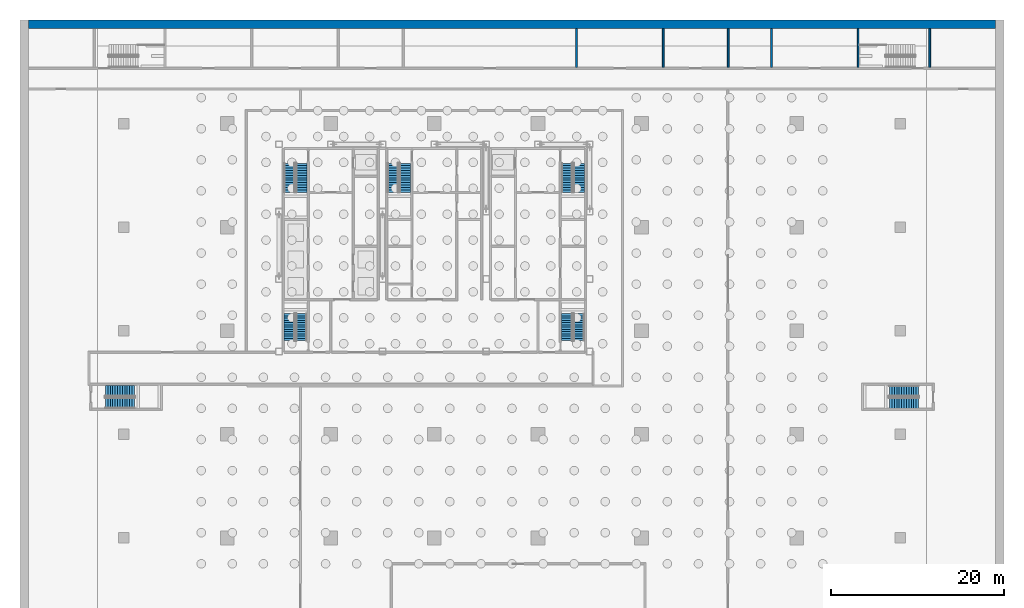
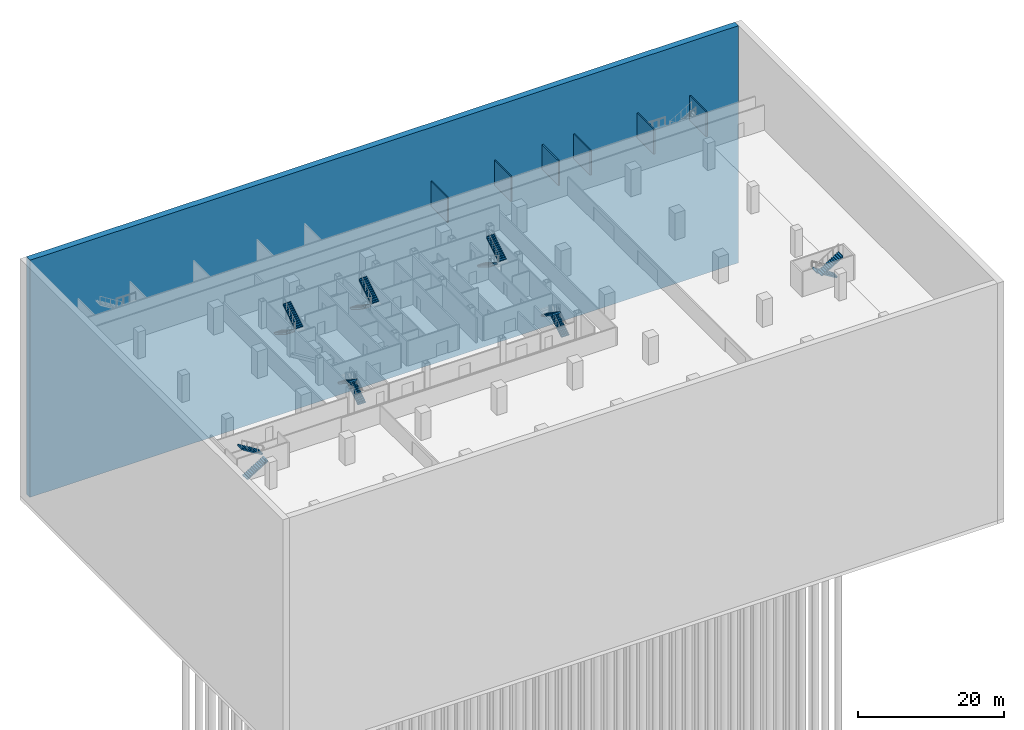
# One storey, part 13 of 18: 14 stair flights, 7 walls, 7 elements without a shape of their own.
"""IFC4 building model written with IfcOpenShell, lengths in metres."""

from ifc_helpers import new_model, si_unit, direction, frame, frame_2d, origin, place, context, subcontext, project, spatial, polyline, rectangle, outline, extrude, material, layer, layer_set, type_object, element, aggregate, save


model = new_model("IFC4")

# Units and contexts
model_context = context("Model", 3, precision=1e-05, world=origin(), true_north=direction((0.0, 1.0)))
body_context = subcontext(model_context, "Body", "Model", "MODEL_VIEW")
ifc_project = project(units=[si_unit("LENGTHUNIT", "METRE"), si_unit("AREAUNIT", "SQUARE_METRE"), si_unit("VOLUMEUNIT", "CUBIC_METRE"), si_unit("PLANEANGLEUNIT", "RADIAN"), si_unit("MASSUNIT", "GRAM", prefix="KILO")], contexts=[model_context])

# Site, building, storey
site_placement = place(None, origin())
site = spatial("IfcSite", under=ifc_project, at=site_placement, CompositionType="ELEMENT")
building_placement = place(site_placement, origin())
building = spatial("IfcBuilding", under=site, at=building_placement, Name="Sorahane Residences", CompositionType="ELEMENT")
storey_placement = place(building_placement, frame((0.0, 0.0, -13.5)))
storey = spatial("IfcBuildingStorey", under=building, at=storey_placement, Name="B3", CompositionType="ELEMENT", Elevation=-13.5)

# Walls
ifc_material_1 = material(Name="Concrete C40", Category="concrete")
ifc_layer_1 = layer(ifc_material_1, 1.0)
ifc_layer_set_1 = layer_set([ifc_layer_1], Name="Diaphragm wall 1000 mm Concrete C40")
wall_type_1 = type_object("IfcWallType", Name="Diaphragm wall 1000 mm Concrete C40", PredefinedType="SOLIDWALL", material=ifc_layer_set_1)
wall_1_placement = place(storey_placement, frame((-23.0, 59.5, -26.5), z_axis=(0.0, 0.0, 1.0), x_axis=(1.0, 0.0, 0.0)))
element("IfcWall", 1, at=wall_1_placement, inside=storey, type_object=wall_type_1, Name="Diaphragm wall north", PredefinedType="SOLIDWALL", context=body_context, shape_type="SweptSolid", body=[
    extrude(rectangle(XDim=112.0, YDim=1.0, at=frame_2d((56.0, 0.0))), origin(), (0.0, 0.0, 1.0), 39.639892578125),
])
ifc_material_2 = material(Name="Concrete blockwork C20 wall", Category="masonry")
ifc_layer_2 = layer(ifc_material_2, 0.199951171875)
ifc_layer_set_2 = layer_set([ifc_layer_2], Name="Fire wall 200 EI 120")
wall_type_2 = type_object("IfcWallType", Name="Fire wall 200 EI 120", PredefinedType="SOLIDWALL", material=ifc_layer_set_2)
wall_2_placement = place(storey_placement, frame((81.39990234375, 54.5, 0.0), z_axis=(0.0, 0.0, 1.0), x_axis=(0.0, 1.0, 0.0)))
element("IfcWall", 2, at=wall_2_placement, inside=storey, type_object=wall_type_2, Name="B3 fire wall", PredefinedType="SOLIDWALL", context=body_context, shape_type="SweptSolid", body=[
    extrude(rectangle(XDim=4.5, YDim=0.199951171875, at=frame_2d((2.25, 0.0))), origin(), (0.0, 0.0, 1.0), 4.14990234375),
])
ifc_material_3 = material(Name="Concrete blockwork C20 wall", Category="masonry")
ifc_layer_3 = layer(ifc_material_3, 0.199951171875)
ifc_layer_set_3 = layer_set([ifc_layer_3], Name="Plant wall 200 EI 120")
wall_type_3 = type_object("IfcWallType", Name="Plant wall 200 EI 120", PredefinedType="SOLIDWALL", material=ifc_layer_set_3)
for number, where, z_axis, x_axis, name in (
    (3, (40.47802734375, 54.5, 0.0), (0.0, 0.0, 1.0), (0.0, 1.0, 0.0), "B3 plant wall"),
    (4, (50.515625, 54.5, 0.0), (0.0, 0.0, 1.0), (0.0, 1.0, 0.0), "B3 plant wall"),
    (5, (58.043701171875, 54.5, 0.0), (0.0, 0.0, 1.0), (0.0, 1.0, 0.0), "B3 plant wall"),
    (6, (63.0625, 54.5, 0.0), (0.0, 0.0, 1.0), (0.0, 1.0, 0.0), "B3 plant wall"),
):
    element("IfcWall", number, at=place(storey_placement, frame(where, z_axis=z_axis, x_axis=x_axis)), inside=storey, type_object=wall_type_3, Name=name, PredefinedType="SOLIDWALL", context=body_context, shape_type="SweptSolid", body=[
        extrude(rectangle(XDim=4.5, YDim=0.199951171875, at=frame_2d((2.25, 0.0))), origin(), (0.0, 0.0, 1.0), 4.14990234375),
    ])
ifc_material_4 = material(Name="Concrete C30", Category="concrete")
ifc_layer_4 = layer(ifc_material_4, 0.199951171875)
ifc_layer_set_4 = layer_set([ifc_layer_4], Name="Stair enclosure wall 200 EI 120")
wall_type_4 = type_object("IfcWallType", Name="Stair enclosure wall 200 EI 120", PredefinedType="SOLIDWALL", material=ifc_layer_set_4)
wall_3_placement = place(storey_placement, frame((73.10009765625, 54.5, 0.0), z_axis=(0.0, 0.0, 1.0), x_axis=(0.0, 1.0, 0.0)))
element("IfcWall", 7, at=wall_3_placement, inside=storey, type_object=wall_type_4, Name="B3 fire wall", PredefinedType="SOLIDWALL", context=body_context, shape_type="SweptSolid", body=[
    extrude(rectangle(XDim=4.5, YDim=0.199951171875, at=frame_2d((2.25, 0.0))), origin(), (0.0, 0.0, 1.0), 4.14990234375),
])

# Stair, stair flights
ifc_material_5 = material(Name="Concrete C40", Category="concrete")
stair_type = type_object("IfcStairType", Name="Dog-leg stair 1250 Concrete C40", PredefinedType="HALF_TURN_STAIR", material=ifc_material_5)
stair_1_placement = place(storey_placement, origin())
stair_1 = element("IfcStair", 8, at=stair_1_placement, inside=storey, type_object=stair_type, Name="B3 Stair S1", PredefinedType="HALF_TURN_STAIR")
ifc_material_6 = material(Name="Concrete C40", Category="concrete")
stair_flight_type = type_object("IfcStairFlightType", Name="Stair flight 1250 Concrete C40", PredefinedType="STRAIGHT", material=ifc_material_6)
stair_flight_1_placement = place(storey_placement, frame((7.22509765625, 43.39990234375, 0.0), z_axis=(0.0, 0.0, 1.0), x_axis=(0.0, -1.0, 0.0)))
stair_flight_1 = element("IfcStairFlight", 9, at=stair_flight_1_placement, type_object=stair_flight_type, Name="S1 flight 1", NumberOfRisers=13, NumberOfTreads=12, PredefinedType="STRAIGHT", RiserHeight=0.173076923, TreadLength=0.28, context=body_context, shape_type="SweptSolid", body=[
    extrude(outline(polyline([(-0.00146484375, 0.0), (-0.00146484375, 0.173095703125), (0.0, 0.173095703125), (0.280029296875, 0.173095703125), (0.280029296875, 0.34619140625), (0.56005859375, 0.34619140625), (0.56005859375, 0.519287109375), (0.840087890625, 0.519287109375), (0.840087890625, 0.6923828125), (1.1201171875, 0.6923828125), (1.1201171875, 0.865478515625), (1.39990234375, 0.865478515625), (1.39990234375, 1.03857421875), (1.679931640625, 1.03857421875), (1.679931640625, 1.21142578125), (1.9599609375, 1.21142578125), (1.9599609375, 1.384521484375), (2.239990234375, 1.384521484375), (2.239990234375, 1.5576171875), (2.52001953125, 1.5576171875), (2.52001953125, 1.730712890625), (2.800048828125, 1.730712890625), (2.800048828125, 1.90380859375), (3.080078125, 1.90380859375), (3.080078125, 2.076904296875), (3.360107421875, 2.076904296875), (3.360107421875, 2.25), (3.360107421875, 1.900634765625), (3.140380859375, 1.764892578125), (2.920654296875, 1.629150390625), (2.701171875, 1.493408203125), (2.4814453125, 1.357666015625), (2.26171875, 1.221923828125), (2.042236328125, 1.086181640625), (1.822509765625, 0.950439453125), (1.60302734375, 0.814697265625), (1.38330078125, 0.6787109375), (1.16357421875, 0.54296875), (0.944091796875, 0.4072265625), (0.724365234375, 0.271484375), (0.504638671875, 0.1357421875), (0.28515625, 0.0), (-0.00146484375, 0.0)])), frame((0.0, 0.625, 0.0), z_axis=(0.0, -1.0, 0.0), x_axis=(1.0, 0.0, 0.0)), (0.0, 0.0, 1.0), 1.25),
])
stair_flight_2_placement = place(storey_placement, frame((8.625, 40.0400390625, 2.25), z_axis=(0.0, 0.0, 1.0), x_axis=(0.0, 1.0, 0.0)))
stair_flight_2 = element("IfcStairFlight", 10, at=stair_flight_2_placement, type_object=stair_flight_type, Name="S1 flight 2", NumberOfRisers=13, NumberOfTreads=12, PredefinedType="STRAIGHT", RiserHeight=0.173076923, TreadLength=0.28, context=body_context, shape_type="SweptSolid", body=[
    extrude(outline(polyline([(0.0, 0.0), (0.0, 0.173095703125), (0.280029296875, 0.173095703125), (0.280029296875, 0.34619140625), (0.56005859375, 0.34619140625), (0.56005859375, 0.519287109375), (0.840087890625, 0.519287109375), (0.840087890625, 0.6923828125), (1.1201171875, 0.6923828125), (1.1201171875, 0.865478515625), (1.39990234375, 0.865478515625), (1.39990234375, 1.03857421875), (1.679931640625, 1.03857421875), (1.679931640625, 1.21142578125), (1.9599609375, 1.21142578125), (1.9599609375, 1.384521484375), (2.239990234375, 1.384521484375), (2.239990234375, 1.5576171875), (2.52001953125, 1.5576171875), (2.52001953125, 1.730712890625), (2.800048828125, 1.730712890625), (2.800048828125, 1.90380859375), (3.080078125, 1.90380859375), (3.080078125, 2.076904296875), (3.360107421875, 2.076904296875), (3.360107421875, 2.25), (3.361572265625, 2.25), (3.361572265625, 1.900634765625), (3.141845703125, 1.764892578125), (2.922119140625, 1.629150390625), (2.702392578125, 1.493408203125), (2.482421875, 1.357666015625), (2.2626953125, 1.221923828125), (2.04296875, 1.086181640625), (1.8232421875, 0.950439453125), (1.603515625, 0.814697265625), (1.3837890625, 0.6787109375), (1.1640625, 0.54296875), (0.9443359375, 0.4072265625), (0.724609375, 0.271484375), (0.5048828125, 0.1357421875), (0.28515625, 0.0), (0.0, 0.0)])), frame((0.0, 0.625, 0.0), z_axis=(0.0, -1.0, 0.0), x_axis=(1.0, 0.0, 0.0)), (0.0, 0.0, 1.0), 1.25),
])
aggregate(stair_1, [stair_flight_1, stair_flight_2])

stair_2_placement = place(storey_placement, origin())
stair_2 = element("IfcStair", 11, at=stair_2_placement, inside=storey, type_object=stair_type, Name="B3 Stair S2", PredefinedType="HALF_TURN_STAIR")
stair_flight_3_placement = place(storey_placement, frame((39.375, 43.39990234375, 0.0), z_axis=(0.0, 0.0, 1.0), x_axis=(0.0, -1.0, 0.0)))
stair_flight_3 = element("IfcStairFlight", 12, at=stair_flight_3_placement, type_object=stair_flight_type, Name="S2 flight 1", NumberOfRisers=13, NumberOfTreads=12, PredefinedType="STRAIGHT", RiserHeight=0.173076923, TreadLength=0.28, context=body_context, shape_type="SweptSolid", body=[
    extrude(outline(polyline([(-0.00146484375, 0.0), (-0.00146484375, 0.173095703125), (0.0, 0.173095703125), (0.280029296875, 0.173095703125), (0.280029296875, 0.34619140625), (0.56005859375, 0.34619140625), (0.56005859375, 0.519287109375), (0.840087890625, 0.519287109375), (0.840087890625, 0.6923828125), (1.1201171875, 0.6923828125), (1.1201171875, 0.865478515625), (1.39990234375, 0.865478515625), (1.39990234375, 1.03857421875), (1.679931640625, 1.03857421875), (1.679931640625, 1.21142578125), (1.9599609375, 1.21142578125), (1.9599609375, 1.384521484375), (2.239990234375, 1.384521484375), (2.239990234375, 1.5576171875), (2.52001953125, 1.5576171875), (2.52001953125, 1.730712890625), (2.800048828125, 1.730712890625), (2.800048828125, 1.90380859375), (3.080078125, 1.90380859375), (3.080078125, 2.076904296875), (3.360107421875, 2.076904296875), (3.360107421875, 2.25), (3.360107421875, 1.900634765625), (3.140380859375, 1.764892578125), (2.920654296875, 1.629150390625), (2.701171875, 1.493408203125), (2.4814453125, 1.357666015625), (2.26171875, 1.221923828125), (2.042236328125, 1.086181640625), (1.822509765625, 0.950439453125), (1.60302734375, 0.814697265625), (1.38330078125, 0.6787109375), (1.16357421875, 0.54296875), (0.944091796875, 0.4072265625), (0.724365234375, 0.271484375), (0.504638671875, 0.1357421875), (0.28515625, 0.0), (-0.00146484375, 0.0)])), frame((0.0, 0.625, 0.0), z_axis=(0.0, -1.0, 0.0), x_axis=(1.0, 0.0, 0.0)), (0.0, 0.0, 1.0), 1.25),
])
stair_flight_4_placement = place(storey_placement, frame((40.77490234375, 40.0400390625, 2.25), z_axis=(0.0, 0.0, 1.0), x_axis=(0.0, 1.0, 0.0)))
stair_flight_4 = element("IfcStairFlight", 13, at=stair_flight_4_placement, type_object=stair_flight_type, Name="S2 flight 2", NumberOfRisers=13, NumberOfTreads=12, PredefinedType="STRAIGHT", RiserHeight=0.173076923, TreadLength=0.28, context=body_context, shape_type="SweptSolid", body=[
    extrude(outline(polyline([(0.0, 0.0), (0.0, 0.173095703125), (0.280029296875, 0.173095703125), (0.280029296875, 0.34619140625), (0.56005859375, 0.34619140625), (0.56005859375, 0.519287109375), (0.840087890625, 0.519287109375), (0.840087890625, 0.6923828125), (1.1201171875, 0.6923828125), (1.1201171875, 0.865478515625), (1.39990234375, 0.865478515625), (1.39990234375, 1.03857421875), (1.679931640625, 1.03857421875), (1.679931640625, 1.21142578125), (1.9599609375, 1.21142578125), (1.9599609375, 1.384521484375), (2.239990234375, 1.384521484375), (2.239990234375, 1.5576171875), (2.52001953125, 1.5576171875), (2.52001953125, 1.730712890625), (2.800048828125, 1.730712890625), (2.800048828125, 1.90380859375), (3.080078125, 1.90380859375), (3.080078125, 2.076904296875), (3.360107421875, 2.076904296875), (3.360107421875, 2.25), (3.361572265625, 2.25), (3.361572265625, 1.900634765625), (3.141845703125, 1.764892578125), (2.922119140625, 1.629150390625), (2.702392578125, 1.493408203125), (2.482421875, 1.357666015625), (2.2626953125, 1.221923828125), (2.04296875, 1.086181640625), (1.8232421875, 0.950439453125), (1.603515625, 0.814697265625), (1.3837890625, 0.6787109375), (1.1640625, 0.54296875), (0.9443359375, 0.4072265625), (0.724609375, 0.271484375), (0.5048828125, 0.1357421875), (0.28515625, 0.0), (0.0, 0.0)])), frame((0.0, 0.625, 0.0), z_axis=(0.0, -1.0, 0.0), x_axis=(1.0, 0.0, 0.0)), (0.0, 0.0, 1.0), 1.25),
])
aggregate(stair_2, [stair_flight_3, stair_flight_4])

stair_3_placement = place(storey_placement, origin())
stair_3 = element("IfcStair", 14, at=stair_3_placement, inside=storey, type_object=stair_type, Name="B3 Stair S3", PredefinedType="HALF_TURN_STAIR")
stair_flight_5_placement = place(storey_placement, frame((19.22509765625, 43.39990234375, 0.0), z_axis=(0.0, 0.0, 1.0), x_axis=(0.0, -1.0, 0.0)))
stair_flight_5 = element("IfcStairFlight", 15, at=stair_flight_5_placement, type_object=stair_flight_type, Name="S3 flight 1", NumberOfRisers=13, NumberOfTreads=12, PredefinedType="STRAIGHT", RiserHeight=0.173076923, TreadLength=0.28, context=body_context, shape_type="SweptSolid", body=[
    extrude(outline(polyline([(-0.00146484375, 0.0), (-0.00146484375, 0.173095703125), (0.0, 0.173095703125), (0.280029296875, 0.173095703125), (0.280029296875, 0.34619140625), (0.56005859375, 0.34619140625), (0.56005859375, 0.519287109375), (0.840087890625, 0.519287109375), (0.840087890625, 0.6923828125), (1.1201171875, 0.6923828125), (1.1201171875, 0.865478515625), (1.39990234375, 0.865478515625), (1.39990234375, 1.03857421875), (1.679931640625, 1.03857421875), (1.679931640625, 1.21142578125), (1.9599609375, 1.21142578125), (1.9599609375, 1.384521484375), (2.239990234375, 1.384521484375), (2.239990234375, 1.5576171875), (2.52001953125, 1.5576171875), (2.52001953125, 1.730712890625), (2.800048828125, 1.730712890625), (2.800048828125, 1.90380859375), (3.080078125, 1.90380859375), (3.080078125, 2.076904296875), (3.360107421875, 2.076904296875), (3.360107421875, 2.25), (3.360107421875, 1.900634765625), (3.140380859375, 1.764892578125), (2.920654296875, 1.629150390625), (2.701171875, 1.493408203125), (2.4814453125, 1.357666015625), (2.26171875, 1.221923828125), (2.042236328125, 1.086181640625), (1.822509765625, 0.950439453125), (1.60302734375, 0.814697265625), (1.38330078125, 0.6787109375), (1.16357421875, 0.54296875), (0.944091796875, 0.4072265625), (0.724365234375, 0.271484375), (0.504638671875, 0.1357421875), (0.28515625, 0.0), (-0.00146484375, 0.0)])), frame((0.0, 0.625, 0.0), z_axis=(0.0, -1.0, 0.0), x_axis=(1.0, 0.0, 0.0)), (0.0, 0.0, 1.0), 1.25),
])
stair_flight_6_placement = place(storey_placement, frame((20.625, 40.0400390625, 2.25), z_axis=(0.0, 0.0, 1.0), x_axis=(0.0, 1.0, 0.0)))
stair_flight_6 = element("IfcStairFlight", 16, at=stair_flight_6_placement, type_object=stair_flight_type, Name="S3 flight 2", NumberOfRisers=13, NumberOfTreads=12, PredefinedType="STRAIGHT", RiserHeight=0.173076923, TreadLength=0.28, context=body_context, shape_type="SweptSolid", body=[
    extrude(outline(polyline([(0.0, 0.0), (0.0, 0.173095703125), (0.280029296875, 0.173095703125), (0.280029296875, 0.34619140625), (0.56005859375, 0.34619140625), (0.56005859375, 0.519287109375), (0.840087890625, 0.519287109375), (0.840087890625, 0.6923828125), (1.1201171875, 0.6923828125), (1.1201171875, 0.865478515625), (1.39990234375, 0.865478515625), (1.39990234375, 1.03857421875), (1.679931640625, 1.03857421875), (1.679931640625, 1.21142578125), (1.9599609375, 1.21142578125), (1.9599609375, 1.384521484375), (2.239990234375, 1.384521484375), (2.239990234375, 1.5576171875), (2.52001953125, 1.5576171875), (2.52001953125, 1.730712890625), (2.800048828125, 1.730712890625), (2.800048828125, 1.90380859375), (3.080078125, 1.90380859375), (3.080078125, 2.076904296875), (3.360107421875, 2.076904296875), (3.360107421875, 2.25), (3.361572265625, 2.25), (3.361572265625, 1.900634765625), (3.141845703125, 1.764892578125), (2.922119140625, 1.629150390625), (2.702392578125, 1.493408203125), (2.482421875, 1.357666015625), (2.2626953125, 1.221923828125), (2.04296875, 1.086181640625), (1.8232421875, 0.950439453125), (1.603515625, 0.814697265625), (1.3837890625, 0.6787109375), (1.1640625, 0.54296875), (0.9443359375, 0.4072265625), (0.724609375, 0.271484375), (0.5048828125, 0.1357421875), (0.28515625, 0.0), (0.0, 0.0)])), frame((0.0, 0.625, 0.0), z_axis=(0.0, -1.0, 0.0), x_axis=(1.0, 0.0, 0.0)), (0.0, 0.0, 1.0), 1.25),
])
aggregate(stair_3, [stair_flight_5, stair_flight_6])

stair_4_placement = place(storey_placement, origin())
stair_4 = element("IfcStair", 17, at=stair_4_placement, inside=storey, type_object=stair_type, Name="B3 Stair S4", PredefinedType="HALF_TURN_STAIR")
stair_flight_7_placement = place(storey_placement, frame((8.625, 22.85009765625, 0.0), z_axis=(0.0, 0.0, 1.0), x_axis=(0.0, 1.0, 0.0)))
stair_flight_7 = element("IfcStairFlight", 18, at=stair_flight_7_placement, type_object=stair_flight_type, Name="S4 flight 1", NumberOfRisers=13, NumberOfTreads=12, PredefinedType="STRAIGHT", RiserHeight=0.173076923, TreadLength=0.26, context=body_context, shape_type="SweptSolid", body=[
    extrude(outline(polyline([(-0.00146484375, 0.0), (-0.00146484375, 0.173095703125), (0.0, 0.173095703125), (0.260009765625, 0.173095703125), (0.260009765625, 0.34619140625), (0.52001953125, 0.34619140625), (0.52001953125, 0.519287109375), (0.780029296875, 0.519287109375), (0.780029296875, 0.6923828125), (1.0400390625, 0.6923828125), (1.0400390625, 0.865478515625), (1.300048828125, 0.865478515625), (1.300048828125, 1.03857421875), (1.56005859375, 1.03857421875), (1.56005859375, 1.21142578125), (1.820068359375, 1.21142578125), (1.820068359375, 1.384521484375), (2.080078125, 1.384521484375), (2.080078125, 1.5576171875), (2.340087890625, 1.5576171875), (2.340087890625, 1.730712890625), (2.60009765625, 1.730712890625), (2.60009765625, 1.90380859375), (2.860107421875, 1.90380859375), (2.860107421875, 2.076904296875), (3.1201171875, 2.076904296875), (3.1201171875, 2.25), (3.1201171875, 1.9326171875), (2.91259765625, 1.794677734375), (2.705322265625, 1.656494140625), (2.497802734375, 1.5185546875), (2.29052734375, 1.38037109375), (2.083251953125, 1.242431640625), (1.875732421875, 1.104248046875), (1.66845703125, 0.96630859375), (1.4609375, 0.828369140625), (1.253662109375, 0.690185546875), (1.046142578125, 0.55224609375), (0.8388671875, 0.4140625), (0.631591796875, 0.276123046875), (0.424072265625, 0.137939453125), (0.216796875, 0.0), (-0.00146484375, 0.0)])), frame((0.0, 0.625, 0.0), z_axis=(0.0, -1.0, 0.0), x_axis=(1.0, 0.0, 0.0)), (0.0, 0.0, 1.0), 1.25),
])
stair_flight_8_placement = place(storey_placement, frame((7.22509765625, 25.969970703125, 2.25), z_axis=(0.0, 0.0, 1.0), x_axis=(0.0, -1.0, 0.0)))
stair_flight_8 = element("IfcStairFlight", 19, at=stair_flight_8_placement, type_object=stair_flight_type, Name="S4 flight 2", NumberOfRisers=13, NumberOfTreads=12, PredefinedType="STRAIGHT", RiserHeight=0.173076923, TreadLength=0.26, context=body_context, shape_type="SweptSolid", body=[
    extrude(outline(polyline([(0.0, 0.0), (0.0, 0.173095703125), (0.260009765625, 0.173095703125), (0.260009765625, 0.34619140625), (0.52001953125, 0.34619140625), (0.52001953125, 0.519287109375), (0.780029296875, 0.519287109375), (0.780029296875, 0.6923828125), (1.0400390625, 0.6923828125), (1.0400390625, 0.865478515625), (1.300048828125, 0.865478515625), (1.300048828125, 1.03857421875), (1.56005859375, 1.03857421875), (1.56005859375, 1.21142578125), (1.820068359375, 1.21142578125), (1.820068359375, 1.384521484375), (2.080078125, 1.384521484375), (2.080078125, 1.5576171875), (2.340087890625, 1.5576171875), (2.340087890625, 1.730712890625), (2.60009765625, 1.730712890625), (2.60009765625, 1.90380859375), (2.860107421875, 1.90380859375), (2.860107421875, 2.076904296875), (3.1201171875, 2.076904296875), (3.1201171875, 2.25), (3.12158203125, 2.25), (3.12158203125, 1.9326171875), (2.9140625, 1.794677734375), (2.70654296875, 1.656494140625), (2.4990234375, 1.5185546875), (2.29150390625, 1.38037109375), (2.083984375, 1.242431640625), (1.876708984375, 1.104248046875), (1.669189453125, 0.96630859375), (1.461669921875, 0.828369140625), (1.254150390625, 0.690185546875), (1.046630859375, 0.55224609375), (0.839111328125, 0.4140625), (0.6318359375, 0.276123046875), (0.42431640625, 0.137939453125), (0.216796875, 0.0), (0.0, 0.0)])), frame((0.0, 0.625, 0.0), z_axis=(0.0, -1.0, 0.0), x_axis=(1.0, 0.0, 0.0)), (0.0, 0.0, 1.0), 1.25),
])
aggregate(stair_4, [stair_flight_7, stair_flight_8])

stair_5_placement = place(storey_placement, origin())
stair_5 = element("IfcStair", 20, at=stair_5_placement, inside=storey, type_object=stair_type, Name="B3 Stair S5", PredefinedType="HALF_TURN_STAIR")
stair_flight_9_placement = place(storey_placement, frame((40.77490234375, 22.85009765625, 0.0), z_axis=(0.0, 0.0, 1.0), x_axis=(0.0, 1.0, 0.0)))
stair_flight_9 = element("IfcStairFlight", 21, at=stair_flight_9_placement, type_object=stair_flight_type, Name="S5 flight 1", NumberOfRisers=13, NumberOfTreads=12, PredefinedType="STRAIGHT", RiserHeight=0.173076923, TreadLength=0.26, context=body_context, shape_type="SweptSolid", body=[
    extrude(outline(polyline([(-0.00146484375, 0.0), (-0.00146484375, 0.173095703125), (0.0, 0.173095703125), (0.260009765625, 0.173095703125), (0.260009765625, 0.34619140625), (0.52001953125, 0.34619140625), (0.52001953125, 0.519287109375), (0.780029296875, 0.519287109375), (0.780029296875, 0.6923828125), (1.0400390625, 0.6923828125), (1.0400390625, 0.865478515625), (1.300048828125, 0.865478515625), (1.300048828125, 1.03857421875), (1.56005859375, 1.03857421875), (1.56005859375, 1.21142578125), (1.820068359375, 1.21142578125), (1.820068359375, 1.384521484375), (2.080078125, 1.384521484375), (2.080078125, 1.5576171875), (2.340087890625, 1.5576171875), (2.340087890625, 1.730712890625), (2.60009765625, 1.730712890625), (2.60009765625, 1.90380859375), (2.860107421875, 1.90380859375), (2.860107421875, 2.076904296875), (3.1201171875, 2.076904296875), (3.1201171875, 2.25), (3.1201171875, 1.9326171875), (2.91259765625, 1.794677734375), (2.705322265625, 1.656494140625), (2.497802734375, 1.5185546875), (2.29052734375, 1.38037109375), (2.083251953125, 1.242431640625), (1.875732421875, 1.104248046875), (1.66845703125, 0.96630859375), (1.4609375, 0.828369140625), (1.253662109375, 0.690185546875), (1.046142578125, 0.55224609375), (0.8388671875, 0.4140625), (0.631591796875, 0.276123046875), (0.424072265625, 0.137939453125), (0.216796875, 0.0), (-0.00146484375, 0.0)])), frame((0.0, 0.625, 0.0), z_axis=(0.0, -1.0, 0.0), x_axis=(1.0, 0.0, 0.0)), (0.0, 0.0, 1.0), 1.25),
])
stair_flight_10_placement = place(storey_placement, frame((39.375, 25.969970703125, 2.25), z_axis=(0.0, 0.0, 1.0), x_axis=(0.0, -1.0, 0.0)))
stair_flight_10 = element("IfcStairFlight", 22, at=stair_flight_10_placement, type_object=stair_flight_type, Name="S5 flight 2", NumberOfRisers=13, NumberOfTreads=12, PredefinedType="STRAIGHT", RiserHeight=0.173076923, TreadLength=0.26, context=body_context, shape_type="SweptSolid", body=[
    extrude(outline(polyline([(0.0, 0.0), (0.0, 0.173095703125), (0.260009765625, 0.173095703125), (0.260009765625, 0.34619140625), (0.52001953125, 0.34619140625), (0.52001953125, 0.519287109375), (0.780029296875, 0.519287109375), (0.780029296875, 0.6923828125), (1.0400390625, 0.6923828125), (1.0400390625, 0.865478515625), (1.300048828125, 0.865478515625), (1.300048828125, 1.03857421875), (1.56005859375, 1.03857421875), (1.56005859375, 1.21142578125), (1.820068359375, 1.21142578125), (1.820068359375, 1.384521484375), (2.080078125, 1.384521484375), (2.080078125, 1.5576171875), (2.340087890625, 1.5576171875), (2.340087890625, 1.730712890625), (2.60009765625, 1.730712890625), (2.60009765625, 1.90380859375), (2.860107421875, 1.90380859375), (2.860107421875, 2.076904296875), (3.1201171875, 2.076904296875), (3.1201171875, 2.25), (3.12158203125, 2.25), (3.12158203125, 1.9326171875), (2.9140625, 1.794677734375), (2.70654296875, 1.656494140625), (2.4990234375, 1.5185546875), (2.29150390625, 1.38037109375), (2.083984375, 1.242431640625), (1.876708984375, 1.104248046875), (1.669189453125, 0.96630859375), (1.461669921875, 0.828369140625), (1.254150390625, 0.690185546875), (1.046630859375, 0.55224609375), (0.839111328125, 0.4140625), (0.6318359375, 0.276123046875), (0.42431640625, 0.137939453125), (0.216796875, 0.0), (0.0, 0.0)])), frame((0.0, 0.625, 0.0), z_axis=(0.0, -1.0, 0.0), x_axis=(1.0, 0.0, 0.0)), (0.0, 0.0, 1.0), 1.25),
])
aggregate(stair_5, [stair_flight_9, stair_flight_10])

stair_6_placement = place(storey_placement, origin())
stair_6 = element("IfcStair", 23, at=stair_6_placement, inside=storey, type_object=stair_type, Name="B3 Basement stair BS3", PredefinedType="HALF_TURN_STAIR")
stair_flight_11_placement = place(storey_placement, frame((-14.10009765625, 15.625, 0.0), z_axis=(0.0, 0.0, 1.0), x_axis=(1.0, 0.0, 0.0)))
stair_flight_11 = element("IfcStairFlight", 24, at=stair_flight_11_placement, type_object=stair_flight_type, Name="BS3 flight 1", NumberOfRisers=13, NumberOfTreads=12, PredefinedType="STRAIGHT", RiserHeight=0.173076923, TreadLength=0.28, context=body_context, shape_type="SweptSolid", body=[
    extrude(outline(polyline([(-0.00146484375, 0.0), (-0.00146484375, 0.173095703125), (0.0, 0.173095703125), (0.280029296875, 0.173095703125), (0.280029296875, 0.34619140625), (0.56005859375, 0.34619140625), (0.56005859375, 0.519287109375), (0.840087890625, 0.519287109375), (0.840087890625, 0.6923828125), (1.1201171875, 0.6923828125), (1.1201171875, 0.865478515625), (1.39990234375, 0.865478515625), (1.39990234375, 1.03857421875), (1.679931640625, 1.03857421875), (1.679931640625, 1.21142578125), (1.9599609375, 1.21142578125), (1.9599609375, 1.384521484375), (2.239990234375, 1.384521484375), (2.239990234375, 1.5576171875), (2.52001953125, 1.5576171875), (2.52001953125, 1.730712890625), (2.800048828125, 1.730712890625), (2.800048828125, 1.90380859375), (3.080078125, 1.90380859375), (3.080078125, 2.076904296875), (3.360107421875, 2.076904296875), (3.360107421875, 2.25), (3.360107421875, 1.900634765625), (3.140380859375, 1.764892578125), (2.920654296875, 1.629150390625), (2.701171875, 1.493408203125), (2.4814453125, 1.357666015625), (2.26171875, 1.221923828125), (2.042236328125, 1.086181640625), (1.822509765625, 0.950439453125), (1.60302734375, 0.814697265625), (1.38330078125, 0.6787109375), (1.16357421875, 0.54296875), (0.944091796875, 0.4072265625), (0.724365234375, 0.271484375), (0.504638671875, 0.1357421875), (0.28515625, 0.0), (-0.00146484375, 0.0)])), frame((0.0, 0.625, 0.0), z_axis=(0.0, -1.0, 0.0), x_axis=(1.0, 0.0, 0.0)), (0.0, 0.0, 1.0), 1.25),
])
stair_flight_12_placement = place(storey_placement, frame((-10.739990234375, 17.02490234375, 2.25), z_axis=(0.0, 0.0, 1.0), x_axis=(-1.0, 0.0, 0.0)))
stair_flight_12 = element("IfcStairFlight", 25, at=stair_flight_12_placement, type_object=stair_flight_type, Name="BS3 flight 2", NumberOfRisers=13, NumberOfTreads=12, PredefinedType="STRAIGHT", RiserHeight=0.173076923, TreadLength=0.28, context=body_context, shape_type="SweptSolid", body=[
    extrude(outline(polyline([(0.0, 0.0), (0.0, 0.173095703125), (0.280029296875, 0.173095703125), (0.280029296875, 0.34619140625), (0.56005859375, 0.34619140625), (0.56005859375, 0.519287109375), (0.840087890625, 0.519287109375), (0.840087890625, 0.6923828125), (1.1201171875, 0.6923828125), (1.1201171875, 0.865478515625), (1.39990234375, 0.865478515625), (1.39990234375, 1.03857421875), (1.679931640625, 1.03857421875), (1.679931640625, 1.21142578125), (1.9599609375, 1.21142578125), (1.9599609375, 1.384521484375), (2.239990234375, 1.384521484375), (2.239990234375, 1.5576171875), (2.52001953125, 1.5576171875), (2.52001953125, 1.730712890625), (2.800048828125, 1.730712890625), (2.800048828125, 1.90380859375), (3.080078125, 1.90380859375), (3.080078125, 2.076904296875), (3.360107421875, 2.076904296875), (3.360107421875, 2.25), (3.361572265625, 2.25), (3.361572265625, 1.900634765625), (3.141845703125, 1.764892578125), (2.922119140625, 1.629150390625), (2.702392578125, 1.493408203125), (2.482421875, 1.357666015625), (2.2626953125, 1.221923828125), (2.04296875, 1.086181640625), (1.8232421875, 0.950439453125), (1.603515625, 0.814697265625), (1.3837890625, 0.6787109375), (1.1640625, 0.54296875), (0.9443359375, 0.4072265625), (0.724609375, 0.271484375), (0.5048828125, 0.1357421875), (0.28515625, 0.0), (0.0, 0.0)])), frame((0.0, 0.625, 0.0), z_axis=(0.0, -1.0, 0.0), x_axis=(1.0, 0.0, 0.0)), (0.0, 0.0, 1.0), 1.25),
])
aggregate(stair_6, [stair_flight_11, stair_flight_12])

stair_7_placement = place(storey_placement, origin())
stair_7 = element("IfcStair", 26, at=stair_7_placement, inside=storey, type_object=stair_type, Name="B3 Basement stair BS4", PredefinedType="HALF_TURN_STAIR")
stair_flight_13_placement = place(storey_placement, frame((80.10009765625, 17.02490234375, 0.0), z_axis=(0.0, 0.0, 1.0), x_axis=(-1.0, 0.0, 0.0)))
stair_flight_13 = element("IfcStairFlight", 27, at=stair_flight_13_placement, type_object=stair_flight_type, Name="BS4 flight 1", NumberOfRisers=13, NumberOfTreads=12, PredefinedType="STRAIGHT", RiserHeight=0.173076923, TreadLength=0.28, context=body_context, shape_type="SweptSolid", body=[
    extrude(outline(polyline([(-0.00146484375, 0.0), (-0.00146484375, 0.173095703125), (0.0, 0.173095703125), (0.280029296875, 0.173095703125), (0.280029296875, 0.34619140625), (0.56005859375, 0.34619140625), (0.56005859375, 0.519287109375), (0.840087890625, 0.519287109375), (0.840087890625, 0.6923828125), (1.1201171875, 0.6923828125), (1.1201171875, 0.865478515625), (1.39990234375, 0.865478515625), (1.39990234375, 1.03857421875), (1.679931640625, 1.03857421875), (1.679931640625, 1.21142578125), (1.9599609375, 1.21142578125), (1.9599609375, 1.384521484375), (2.239990234375, 1.384521484375), (2.239990234375, 1.5576171875), (2.52001953125, 1.5576171875), (2.52001953125, 1.730712890625), (2.800048828125, 1.730712890625), (2.800048828125, 1.90380859375), (3.080078125, 1.90380859375), (3.080078125, 2.076904296875), (3.360107421875, 2.076904296875), (3.360107421875, 2.25), (3.360107421875, 1.900634765625), (3.140380859375, 1.764892578125), (2.920654296875, 1.629150390625), (2.701171875, 1.493408203125), (2.4814453125, 1.357666015625), (2.26171875, 1.221923828125), (2.042236328125, 1.086181640625), (1.822509765625, 0.950439453125), (1.60302734375, 0.814697265625), (1.38330078125, 0.6787109375), (1.16357421875, 0.54296875), (0.944091796875, 0.4072265625), (0.724365234375, 0.271484375), (0.504638671875, 0.1357421875), (0.28515625, 0.0), (-0.00146484375, 0.0)])), frame((0.0, 0.625, 0.0), z_axis=(0.0, -1.0, 0.0), x_axis=(1.0, 0.0, 0.0)), (0.0, 0.0, 1.0), 1.25),
])
stair_flight_14_placement = place(storey_placement, frame((76.739990234375, 15.625, 2.25), z_axis=(0.0, 0.0, 1.0), x_axis=(1.0, 0.0, 0.0)))
stair_flight_14 = element("IfcStairFlight", 28, at=stair_flight_14_placement, type_object=stair_flight_type, Name="BS4 flight 2", NumberOfRisers=13, NumberOfTreads=12, PredefinedType="STRAIGHT", RiserHeight=0.173076923, TreadLength=0.28, context=body_context, shape_type="SweptSolid", body=[
    extrude(outline(polyline([(0.0, 0.0), (0.0, 0.173095703125), (0.280029296875, 0.173095703125), (0.280029296875, 0.34619140625), (0.56005859375, 0.34619140625), (0.56005859375, 0.519287109375), (0.840087890625, 0.519287109375), (0.840087890625, 0.6923828125), (1.1201171875, 0.6923828125), (1.1201171875, 0.865478515625), (1.39990234375, 0.865478515625), (1.39990234375, 1.03857421875), (1.679931640625, 1.03857421875), (1.679931640625, 1.21142578125), (1.9599609375, 1.21142578125), (1.9599609375, 1.384521484375), (2.239990234375, 1.384521484375), (2.239990234375, 1.5576171875), (2.52001953125, 1.5576171875), (2.52001953125, 1.730712890625), (2.800048828125, 1.730712890625), (2.800048828125, 1.90380859375), (3.080078125, 1.90380859375), (3.080078125, 2.076904296875), (3.360107421875, 2.076904296875), (3.360107421875, 2.25), (3.361572265625, 2.25), (3.361572265625, 1.900634765625), (3.141845703125, 1.764892578125), (2.922119140625, 1.629150390625), (2.702392578125, 1.493408203125), (2.482421875, 1.357666015625), (2.2626953125, 1.221923828125), (2.04296875, 1.086181640625), (1.8232421875, 0.950439453125), (1.603515625, 0.814697265625), (1.3837890625, 0.6787109375), (1.1640625, 0.54296875), (0.9443359375, 0.4072265625), (0.724609375, 0.271484375), (0.5048828125, 0.1357421875), (0.28515625, 0.0), (0.0, 0.0)])), frame((0.0, 0.625, 0.0), z_axis=(0.0, -1.0, 0.0), x_axis=(1.0, 0.0, 0.0)), (0.0, 0.0, 1.0), 1.25),
])
aggregate(stair_7, [stair_flight_13, stair_flight_14])

save(model, "model.ifc")
